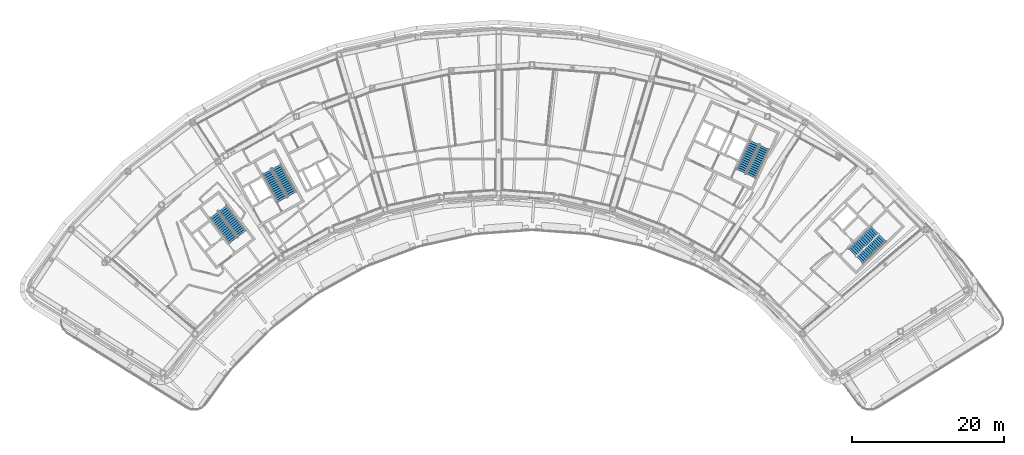
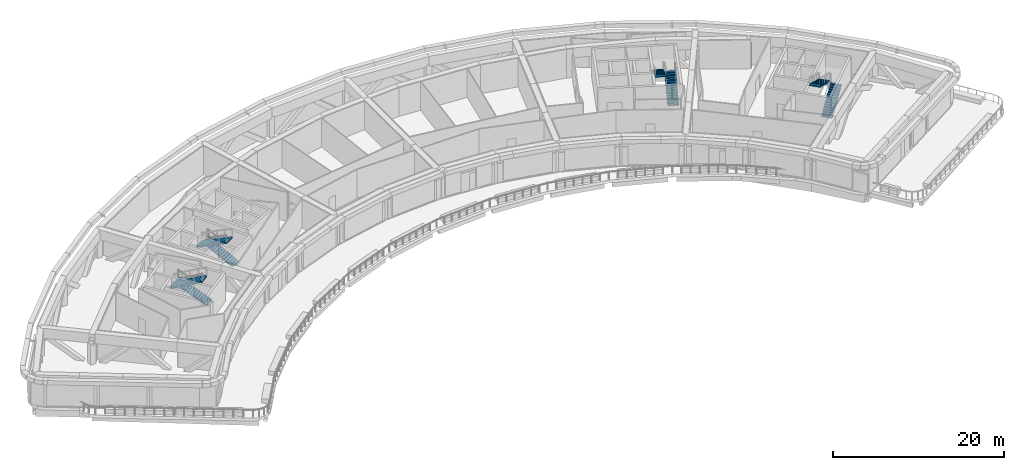
# One storey, part 13 of 26: 8 stair flights, 4 elements without a shape of their own.
"""IFC4 building model written with IfcOpenShell, lengths in metres."""

from ifc_helpers import new_model, si_unit, direction, frame, origin, place, context, subcontext, project, spatial, polyline, outline, extrude, material, type_object, element, aggregate, save


model = new_model("IFC4")

# Units and contexts
model_context = context("Model", 3, precision=1e-05, world=origin(), true_north=direction((0.0, 1.0)))
body_context = subcontext(model_context, "Body", "Model", "MODEL_VIEW")
ifc_project = project(units=[si_unit("LENGTHUNIT", "METRE"), si_unit("AREAUNIT", "SQUARE_METRE"), si_unit("VOLUMEUNIT", "CUBIC_METRE"), si_unit("PLANEANGLEUNIT", "RADIAN"), si_unit("MASSUNIT", "GRAM", prefix="KILO")], contexts=[model_context])

# Site, building, storey
site_placement = place(None, origin())
site = spatial("IfcSite", under=ifc_project, at=site_placement, CompositionType="ELEMENT")
building_placement = place(site_placement, origin())
building = spatial("IfcBuilding", under=site, at=building_placement, Name="Tuul Gate Civic Tower", CompositionType="ELEMENT")
storey_placement = place(building_placement, frame((0.0, 0.0, 167.60009765625)))
storey = spatial("IfcBuildingStorey", under=building, at=storey_placement, Name="Plant and refuge floor 5", CompositionType="ELEMENT", Elevation=167.60009765625)

# Stair, stair flights
ifc_material_1 = material(Name="Concrete C40/50", Category="concrete")
stair_type = type_object("IfcStairType", Name="Exit stair", PredefinedType="HALF_TURN_STAIR", material=ifc_material_1)
stair_1_placement = place(storey_placement, origin())
stair_1 = element("IfcStair", 1, at=stair_1_placement, inside=storey, type_object=stair_type, Name="Plant and refuge floor 5 ST-1", PredefinedType="HALF_TURN_STAIR")
ifc_material_2 = material(Name="Concrete C40/50", Category="concrete")
stair_flight_type = type_object("IfcStairFlightType", Name="Exit stair flight", PredefinedType="STRAIGHT", material=ifc_material_2)
stair_flight_1_placement = place(storey_placement, frame((-32.875244140625, -13.066650390625, 0.0), z_axis=(0.0, 0.0, 1.0), x_axis=(-0.605764474941, 0.795644016442, 0.0)))
stair_flight_1 = element("IfcStairFlight", 2, at=stair_flight_1_placement, type_object=stair_flight_type, Name="ST-1 flight 1", NumberOfRisers=15, NumberOfTreads=14, PredefinedType="STRAIGHT", RiserHeight=0.15, TreadLength=0.3, context=body_context, shape_type="SweptSolid", body=[
    extrude(outline(polyline([(0.0, 0.0), (0.0, 0.14990234375), (0.300048828125, 0.14990234375), (0.300048828125, 0.300048828125), (0.60009765625, 0.300048828125), (0.60009765625, 0.449951171875), (0.89990234375, 0.449951171875), (0.89990234375, 0.60009765625), (1.199951171875, 0.60009765625), (1.199951171875, 0.75), (1.5, 0.75), (1.5, 0.89990234375), (1.800048828125, 0.89990234375), (1.800048828125, 1.050048828125), (2.10009765625, 1.050048828125), (2.10009765625, 1.199951171875), (2.39990234375, 1.199951171875), (2.39990234375, 1.35009765625), (2.699951171875, 1.35009765625), (2.699951171875, 1.5), (3.0, 1.5), (3.0, 1.64990234375), (3.300048828125, 1.64990234375), (3.300048828125, 1.800048828125), (3.60009765625, 1.800048828125), (3.60009765625, 1.949951171875), (3.89990234375, 1.949951171875), (3.89990234375, 2.10009765625), (4.199951171875, 2.10009765625), (4.199951171875, 2.25), (4.199951171875, 1.932373046875), (0.335205078125, 0.0), (0.0, 0.0)])), frame((0.0, 0.675048828125, 0.0), z_axis=(0.0, -1.0, 0.0), x_axis=(1.0, 0.0, 0.0)), (0.0, 0.0, 1.0), 1.35009765625),
])
stair_flight_2_placement = place(storey_placement, frame((-36.5732421875, -10.603515625, 2.25), z_axis=(0.0, 0.0, 1.0), x_axis=(0.605764474941, -0.795644016442, 0.0)))
stair_flight_2 = element("IfcStairFlight", 3, at=stair_flight_2_placement, type_object=stair_flight_type, Name="ST-1 flight 2", NumberOfRisers=15, NumberOfTreads=14, PredefinedType="STRAIGHT", RiserHeight=0.15, TreadLength=0.3, context=body_context, shape_type="SweptSolid", body=[
    extrude(outline(polyline([(0.0, 0.0), (0.0, 0.14990234375), (0.300048828125, 0.14990234375), (0.300048828125, 0.300048828125), (0.60009765625, 0.300048828125), (0.60009765625, 0.449951171875), (0.89990234375, 0.449951171875), (0.89990234375, 0.60009765625), (1.199951171875, 0.60009765625), (1.199951171875, 0.75), (1.5, 0.75), (1.5, 0.89990234375), (1.800048828125, 0.89990234375), (1.800048828125, 1.050048828125), (2.10009765625, 1.050048828125), (2.10009765625, 1.199951171875), (2.39990234375, 1.199951171875), (2.39990234375, 1.35009765625), (2.699951171875, 1.35009765625), (2.699951171875, 1.5), (3.0, 1.5), (3.0, 1.64990234375), (3.300048828125, 1.64990234375), (3.300048828125, 1.800048828125), (3.60009765625, 1.800048828125), (3.60009765625, 1.949951171875), (3.89990234375, 1.949951171875), (3.89990234375, 2.10009765625), (4.199951171875, 2.10009765625), (4.199951171875, 2.25), (4.199951171875, 1.932373046875), (0.335205078125, 0.0), (0.0, 0.0)])), frame((0.0, 0.675048828125, 0.0), z_axis=(0.0, -1.0, 0.0), x_axis=(1.0, 0.0, 0.0)), (0.0, 0.0, 1.0), 1.35009765625),
])
aggregate(stair_1, [stair_flight_1, stair_flight_2])

stair_2_placement = place(storey_placement, origin())
stair_2 = element("IfcStair", 4, at=stair_2_placement, inside=storey, type_object=stair_type, Name="Plant and refuge floor 5 ST-2", PredefinedType="HALF_TURN_STAIR")
stair_flight_3_placement = place(storey_placement, frame((-26.29150390625, -7.87646484375, 0.0), z_axis=(0.0, 0.0, 1.0), x_axis=(-0.484761763766, 0.874646232708, 0.0)))
stair_flight_3 = element("IfcStairFlight", 5, at=stair_flight_3_placement, type_object=stair_flight_type, Name="ST-2 flight 1", NumberOfRisers=15, NumberOfTreads=14, PredefinedType="STRAIGHT", RiserHeight=0.15, TreadLength=0.3, context=body_context, shape_type="SweptSolid", body=[
    extrude(outline(polyline([(0.0, 0.0), (0.0, 0.14990234375), (0.300048828125, 0.14990234375), (0.300048828125, 0.300048828125), (0.60009765625, 0.300048828125), (0.60009765625, 0.449951171875), (0.89990234375, 0.449951171875), (0.89990234375, 0.60009765625), (1.199951171875, 0.60009765625), (1.199951171875, 0.75), (1.5, 0.75), (1.5, 0.89990234375), (1.800048828125, 0.89990234375), (1.800048828125, 1.050048828125), (2.10009765625, 1.050048828125), (2.10009765625, 1.199951171875), (2.39990234375, 1.199951171875), (2.39990234375, 1.35009765625), (2.699951171875, 1.35009765625), (2.699951171875, 1.5), (3.0, 1.5), (3.0, 1.64990234375), (3.300048828125, 1.64990234375), (3.300048828125, 1.800048828125), (3.60009765625, 1.800048828125), (3.60009765625, 1.949951171875), (3.89990234375, 1.949951171875), (3.89990234375, 2.10009765625), (4.199951171875, 2.10009765625), (4.199951171875, 2.25), (4.199951171875, 1.932373046875), (0.335205078125, 0.0), (0.0, 0.0)])), frame((0.0, 0.675048828125, 0.0), z_axis=(0.0, -1.0, 0.0), x_axis=(1.0, 0.0, 0.0)), (0.0, 0.0, 1.0), 1.35009765625),
])
stair_flight_4_placement = place(storey_placement, frame((-29.595947265625, -4.90576171875, 2.25), z_axis=(0.0, 0.0, 1.0), x_axis=(0.484761763766, -0.874646232708, 0.0)))
stair_flight_4 = element("IfcStairFlight", 6, at=stair_flight_4_placement, type_object=stair_flight_type, Name="ST-2 flight 2", NumberOfRisers=15, NumberOfTreads=14, PredefinedType="STRAIGHT", RiserHeight=0.15, TreadLength=0.3, context=body_context, shape_type="SweptSolid", body=[
    extrude(outline(polyline([(0.0, 0.0), (0.0, 0.14990234375), (0.300048828125, 0.14990234375), (0.300048828125, 0.300048828125), (0.60009765625, 0.300048828125), (0.60009765625, 0.449951171875), (0.89990234375, 0.449951171875), (0.89990234375, 0.60009765625), (1.199951171875, 0.60009765625), (1.199951171875, 0.75), (1.5, 0.75), (1.5, 0.89990234375), (1.800048828125, 0.89990234375), (1.800048828125, 1.050048828125), (2.10009765625, 1.050048828125), (2.10009765625, 1.199951171875), (2.39990234375, 1.199951171875), (2.39990234375, 1.35009765625), (2.699951171875, 1.35009765625), (2.699951171875, 1.5), (3.0, 1.5), (3.0, 1.64990234375), (3.300048828125, 1.64990234375), (3.300048828125, 1.800048828125), (3.60009765625, 1.800048828125), (3.60009765625, 1.949951171875), (3.89990234375, 1.949951171875), (3.89990234375, 2.10009765625), (4.199951171875, 2.10009765625), (4.199951171875, 2.25), (4.199951171875, 1.932373046875), (0.335205078125, 0.0), (0.0, 0.0)])), frame((0.0, 0.675048828125, 0.0), z_axis=(0.0, -1.0, 0.0), x_axis=(1.0, 0.0, 0.0)), (0.0, 0.0, 1.0), 1.35009765625),
])
aggregate(stair_2, [stair_flight_3, stair_flight_4])

stair_3_placement = place(storey_placement, origin())
stair_3 = element("IfcStair", 7, at=stair_3_placement, inside=storey, type_object=stair_type, Name="Plant and refuge floor 5 ST-3", PredefinedType="HALF_TURN_STAIR")
stair_flight_5_placement = place(storey_placement, frame((48.61376953125, -16.581787109375, 0.0), z_axis=(0.0, 0.0, 1.0), x_axis=(0.714127290059, 0.700015866672, 0.0)))
stair_flight_5 = element("IfcStairFlight", 8, at=stair_flight_5_placement, type_object=stair_flight_type, Name="ST-3 flight 1", NumberOfRisers=15, NumberOfTreads=14, PredefinedType="STRAIGHT", RiserHeight=0.15, TreadLength=0.3, context=body_context, shape_type="SweptSolid", body=[
    extrude(outline(polyline([(0.0, 0.0), (0.0, 0.14990234375), (0.300048828125, 0.14990234375), (0.300048828125, 0.300048828125), (0.60009765625, 0.300048828125), (0.60009765625, 0.449951171875), (0.89990234375, 0.449951171875), (0.89990234375, 0.60009765625), (1.199951171875, 0.60009765625), (1.199951171875, 0.75), (1.5, 0.75), (1.5, 0.89990234375), (1.800048828125, 0.89990234375), (1.800048828125, 1.050048828125), (2.10009765625, 1.050048828125), (2.10009765625, 1.199951171875), (2.39990234375, 1.199951171875), (2.39990234375, 1.35009765625), (2.699951171875, 1.35009765625), (2.699951171875, 1.5), (3.0, 1.5), (3.0, 1.64990234375), (3.300048828125, 1.64990234375), (3.300048828125, 1.800048828125), (3.60009765625, 1.800048828125), (3.60009765625, 1.949951171875), (3.89990234375, 1.949951171875), (3.89990234375, 2.10009765625), (4.199951171875, 2.10009765625), (4.199951171875, 2.25), (4.199951171875, 1.932373046875), (0.335205078125, 0.0), (0.0, 0.0)])), frame((0.0, 0.675048828125, 0.0), z_axis=(0.0, -1.0, 0.0), x_axis=(1.0, 0.0, 0.0)), (0.0, 0.0, 1.0), 1.35009765625),
])
stair_flight_6_placement = place(storey_placement, frame((50.59814453125, -12.606201171875, 2.25), z_axis=(0.0, 0.0, 1.0), x_axis=(-0.714127290059, -0.700015866672, 0.0)))
stair_flight_6 = element("IfcStairFlight", 9, at=stair_flight_6_placement, type_object=stair_flight_type, Name="ST-3 flight 2", NumberOfRisers=15, NumberOfTreads=14, PredefinedType="STRAIGHT", RiserHeight=0.15, TreadLength=0.3, context=body_context, shape_type="SweptSolid", body=[
    extrude(outline(polyline([(0.0, 0.0), (0.0, 0.14990234375), (0.300048828125, 0.14990234375), (0.300048828125, 0.300048828125), (0.60009765625, 0.300048828125), (0.60009765625, 0.449951171875), (0.89990234375, 0.449951171875), (0.89990234375, 0.60009765625), (1.199951171875, 0.60009765625), (1.199951171875, 0.75), (1.5, 0.75), (1.5, 0.89990234375), (1.800048828125, 0.89990234375), (1.800048828125, 1.050048828125), (2.10009765625, 1.050048828125), (2.10009765625, 1.199951171875), (2.39990234375, 1.199951171875), (2.39990234375, 1.35009765625), (2.699951171875, 1.35009765625), (2.699951171875, 1.5), (3.0, 1.5), (3.0, 1.64990234375), (3.300048828125, 1.64990234375), (3.300048828125, 1.800048828125), (3.60009765625, 1.800048828125), (3.60009765625, 1.949951171875), (3.89990234375, 1.949951171875), (3.89990234375, 2.10009765625), (4.199951171875, 2.10009765625), (4.199951171875, 2.25), (4.199951171875, 1.932373046875), (0.335205078125, 0.0), (0.0, 0.0)])), frame((0.0, 0.675048828125, 0.0), z_axis=(0.0, -1.0, 0.0), x_axis=(1.0, 0.0, 0.0)), (0.0, 0.0, 1.0), 1.35009765625),
])
aggregate(stair_3, [stair_flight_5, stair_flight_6])

stair_4_placement = place(storey_placement, origin())
stair_4 = element("IfcStair", 10, at=stair_4_placement, inside=storey, type_object=stair_type, Name="Plant and refuge floor 5 ST-4", PredefinedType="HALF_TURN_STAIR")
stair_flight_7_placement = place(storey_placement, frame((34.278564453125, -5.478515625, 0.0), z_axis=(0.0, 0.0, 1.0), x_axis=(0.422576295988, 0.906327354806, 0.0)))
stair_flight_7 = element("IfcStairFlight", 11, at=stair_flight_7_placement, type_object=stair_flight_type, Name="ST-4 flight 1", NumberOfRisers=15, NumberOfTreads=14, PredefinedType="STRAIGHT", RiserHeight=0.15, TreadLength=0.3, context=body_context, shape_type="SweptSolid", body=[
    extrude(outline(polyline([(0.0, 0.0), (0.0, 0.14990234375), (0.300048828125, 0.14990234375), (0.300048828125, 0.300048828125), (0.60009765625, 0.300048828125), (0.60009765625, 0.449951171875), (0.89990234375, 0.449951171875), (0.89990234375, 0.60009765625), (1.199951171875, 0.60009765625), (1.199951171875, 0.75), (1.5, 0.75), (1.5, 0.89990234375), (1.800048828125, 0.89990234375), (1.800048828125, 1.050048828125), (2.10009765625, 1.050048828125), (2.10009765625, 1.199951171875), (2.39990234375, 1.199951171875), (2.39990234375, 1.35009765625), (2.699951171875, 1.35009765625), (2.699951171875, 1.5), (3.0, 1.5), (3.0, 1.64990234375), (3.300048828125, 1.64990234375), (3.300048828125, 1.800048828125), (3.60009765625, 1.800048828125), (3.60009765625, 1.949951171875), (3.89990234375, 1.949951171875), (3.89990234375, 2.10009765625), (4.199951171875, 2.10009765625), (4.199951171875, 2.25), (4.199951171875, 1.932373046875), (0.335205078125, 0.0), (0.0, 0.0)])), frame((0.0, 0.675048828125, 0.0), z_axis=(0.0, -1.0, 0.0), x_axis=(1.0, 0.0, 0.0)), (0.0, 0.0, 1.0), 1.35009765625),
])
stair_flight_8_placement = place(storey_placement, frame((34.7392578125, -1.059326171875, 2.25), z_axis=(0.0, 0.0, 1.0), x_axis=(-0.422576295988, -0.906327354806, 0.0)))
stair_flight_8 = element("IfcStairFlight", 12, at=stair_flight_8_placement, type_object=stair_flight_type, Name="ST-4 flight 2", NumberOfRisers=15, NumberOfTreads=14, PredefinedType="STRAIGHT", RiserHeight=0.15, TreadLength=0.3, context=body_context, shape_type="SweptSolid", body=[
    extrude(outline(polyline([(0.0, 0.0), (0.0, 0.14990234375), (0.300048828125, 0.14990234375), (0.300048828125, 0.300048828125), (0.60009765625, 0.300048828125), (0.60009765625, 0.449951171875), (0.89990234375, 0.449951171875), (0.89990234375, 0.60009765625), (1.199951171875, 0.60009765625), (1.199951171875, 0.75), (1.5, 0.75), (1.5, 0.89990234375), (1.800048828125, 0.89990234375), (1.800048828125, 1.050048828125), (2.10009765625, 1.050048828125), (2.10009765625, 1.199951171875), (2.39990234375, 1.199951171875), (2.39990234375, 1.35009765625), (2.699951171875, 1.35009765625), (2.699951171875, 1.5), (3.0, 1.5), (3.0, 1.64990234375), (3.300048828125, 1.64990234375), (3.300048828125, 1.800048828125), (3.60009765625, 1.800048828125), (3.60009765625, 1.949951171875), (3.89990234375, 1.949951171875), (3.89990234375, 2.10009765625), (4.199951171875, 2.10009765625), (4.199951171875, 2.25), (4.199951171875, 1.932373046875), (0.335205078125, 0.0), (0.0, 0.0)])), frame((0.0, 0.675048828125, 0.0), z_axis=(0.0, -1.0, 0.0), x_axis=(1.0, 0.0, 0.0)), (0.0, 0.0, 1.0), 1.35009765625),
])
aggregate(stair_4, [stair_flight_7, stair_flight_8])

save(model, "model.ifc")
